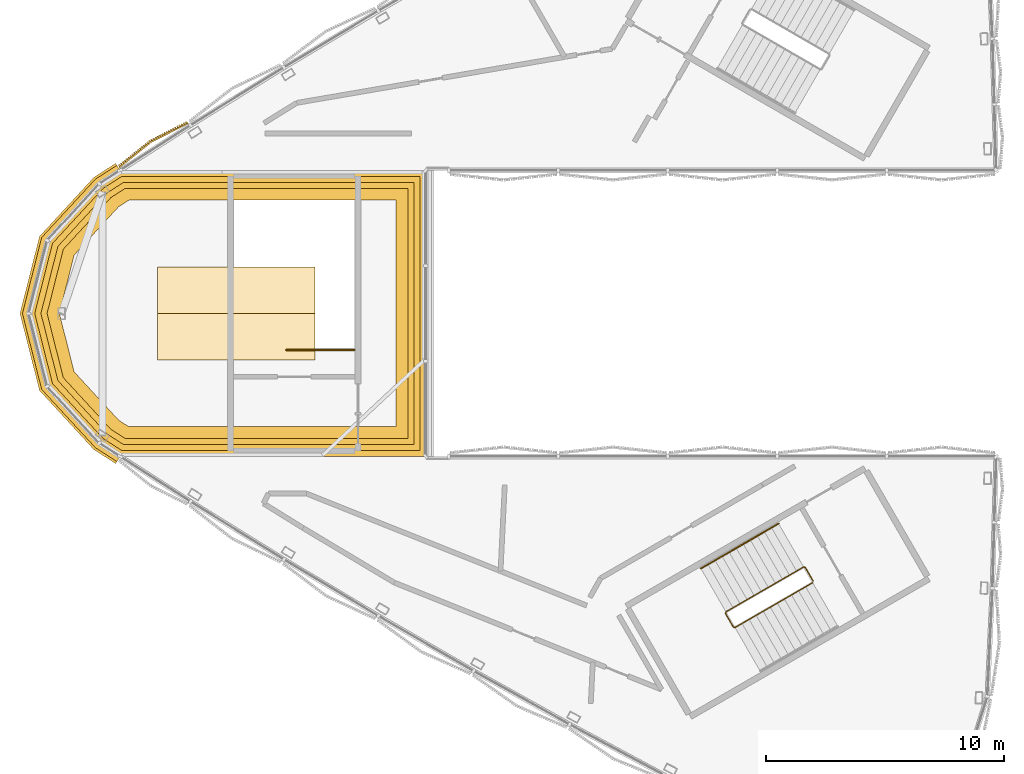
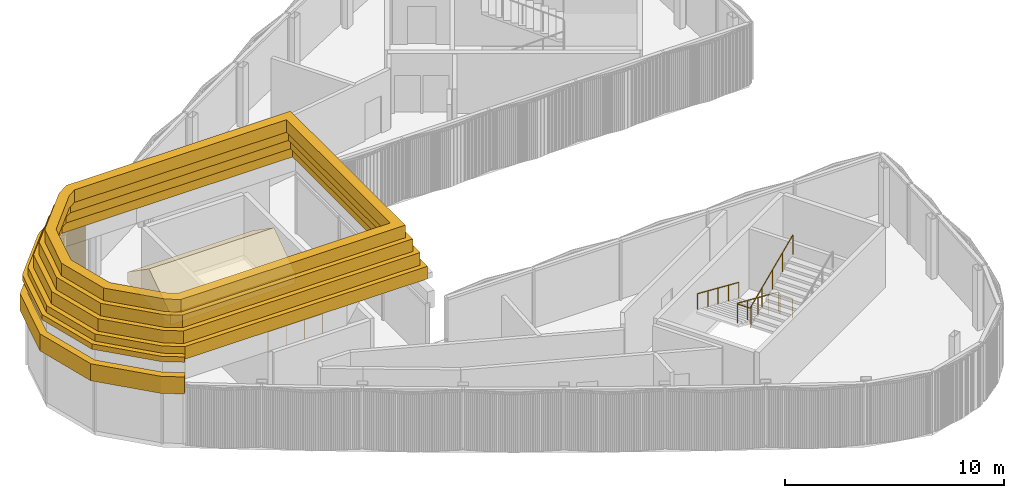
# One storey, part 10 of 16: 8 coverings, 3 railings.
"""IFC4 building model written with IfcOpenShell, lengths in metres."""

from ifc_helpers import new_model, si_unit, direction, frame, frame_2d, origin, origin_2d, place, context, subcontext, project, spatial, polyline, rectangle, circle, outline, extrude, source, transform, mapped, material, layer, layer_set, type_object, element, save


model = new_model("IFC4")

# Units and contexts
model_context = context("Model", 3, precision=1e-05, world=origin(), true_north=direction((0.0, 1.0)))
body_context = subcontext(model_context, "Body", "Model", "MODEL_VIEW")
ifc_project = project(units=[si_unit("LENGTHUNIT", "METRE"), si_unit("AREAUNIT", "SQUARE_METRE"), si_unit("VOLUMEUNIT", "CUBIC_METRE"), si_unit("PLANEANGLEUNIT", "RADIAN"), si_unit("MASSUNIT", "GRAM", prefix="KILO")], contexts=[model_context])

# Site, building, storey
site_placement = place(None, origin())
site = spatial("IfcSite", under=ifc_project, at=site_placement, CompositionType="ELEMENT")
building_placement = place(site_placement, origin())
building = spatial("IfcBuilding", under=site, at=building_placement, Name="Tamra Quay Hotel Tower", CompositionType="ELEMENT")
storey_placement = place(building_placement, frame((0.0, 0.0, 327.800048828125)))
storey = spatial("IfcBuildingStorey", under=building, at=storey_placement, Name="Roof crown 3", CompositionType="ELEMENT", Elevation=327.800048828125)

# Coverings
ifc_material_1 = material(Name="Precast concrete M60 terracotta-coloured cornice", Category="masonry")
ifc_layer_1 = layer(ifc_material_1, 0.5)
ifc_layer_set_1 = layer_set([ifc_layer_1], Name="LANTERN CROWN RING 500X700")
covering_type_1 = type_object("IfcCoveringType", Name="LANTERN CROWN RING 500X700", PredefinedType="MOLDING", material=ifc_layer_set_1)
covering_1_placement = place(storey_placement, frame((0.0, 0.0, 4.699951171875)))
element("IfcCovering", 1, at=covering_1_placement, inside=storey, type_object=covering_type_1, Name="Lantern C crown ring 1", PredefinedType="MOLDING", context=body_context, shape_type="SweptSolid", body=[
    extrude(outline(polyline([(-21.689208984375, -5.439453125), (-23.879150390625, -3.061279296875), (-24.654296875, 0.0), (-23.879150390625, 3.061279296875), (-21.689208984375, 5.439453125), (-20.815673828125, 6.0), (-8.0, 6.0), (-8.0, -6.0), (-20.815673828125, -6.0), (-21.689208984375, -5.439453125)]), holes=[polyline([(-21.364990234375, -5.053466796875), (-23.425537109375, -2.81591796875), (-24.138671875, 0.0), (-23.425537109375, 2.81591796875), (-21.364990234375, 5.053466796875), (-20.6689453125, 5.5), (-8.5, 5.5), (-8.5, -5.5), (-20.6689453125, -5.5), (-21.364990234375, -5.053466796875)])]), origin(), (0.0, 0.0, 1.0), 0.699951171875),
])
covering_2_placement = place(storey_placement, frame((0.0, 0.0, 5.39990234375)))
element("IfcCovering", 2, at=covering_2_placement, inside=storey, type_object=covering_type_1, Name="Lantern C crown ring 2", PredefinedType="MOLDING", context=body_context, shape_type="SweptSolid", body=[
    extrude(outline(polyline([(-21.527099609375, -5.246337890625), (-23.65234375, -2.938720703125), (-24.396484375, 0.0), (-23.65234375, 2.938720703125), (-21.527099609375, 5.246337890625), (-20.7421875, 5.75), (-8.25, 5.75), (-8.25, -5.75), (-20.7421875, -5.75), (-21.527099609375, -5.246337890625)]), holes=[polyline([(-21.202880859375, -4.8603515625), (-23.19873046875, -2.693115234375), (-23.880859375, 0.0), (-23.19873046875, 2.693115234375), (-21.202880859375, 4.8603515625), (-20.595703125, 5.25), (-8.75, 5.25), (-8.75, -5.25), (-20.595703125, -5.25), (-21.202880859375, -4.8603515625)])]), origin(), (0.0, 0.0, 1.0), 0.699951171875),
])
covering_3_placement = place(storey_placement, frame((0.0, 0.0, 6.099853515625)))
element("IfcCovering", 3, at=covering_3_placement, inside=storey, type_object=covering_type_1, Name="Lantern C crown ring 3", PredefinedType="MOLDING", context=body_context, shape_type="SweptSolid", body=[
    extrude(outline(polyline([(-21.364990234375, -5.053466796875), (-23.425537109375, -2.81591796875), (-24.138671875, 0.0), (-23.425537109375, 2.81591796875), (-21.364990234375, 5.053466796875), (-20.6689453125, 5.5), (-8.5, 5.5), (-8.5, -5.5), (-20.6689453125, -5.5), (-21.364990234375, -5.053466796875)]), holes=[polyline([(-21.041015625, -4.667236328125), (-22.971923828125, -2.5703125), (-23.622802734375, 0.0), (-22.971923828125, 2.5703125), (-21.041015625, 4.667236328125), (-20.522216796875, 5.0), (-9.0, 5.0), (-9.0, -5.0), (-20.522216796875, -5.0), (-21.041015625, -4.667236328125)])]), origin(), (0.0, 0.0, 1.0), 0.7001953125),
])
covering_4_placement = place(storey_placement, frame((0.0, 0.0, 6.800048828125)))
element("IfcCovering", 4, at=covering_4_placement, inside=storey, type_object=covering_type_1, Name="Lantern C crown ring 4", PredefinedType="MOLDING", context=body_context, shape_type="SweptSolid", body=[
    extrude(outline(polyline([(-21.202880859375, -4.8603515625), (-23.19873046875, -2.693115234375), (-23.880859375, 0.0), (-23.19873046875, 2.693115234375), (-21.202880859375, 4.8603515625), (-20.595703125, 5.25), (-8.75, 5.25), (-8.75, -5.25), (-20.595703125, -5.25), (-21.202880859375, -4.8603515625)]), holes=[polyline([(-20.87890625, -4.474365234375), (-22.7451171875, -2.447509765625), (-23.364990234375, 0.0), (-22.7451171875, 2.447509765625), (-20.87890625, 4.474365234375), (-20.448974609375, 4.75), (-9.25, 4.75), (-9.25, -4.75), (-20.448974609375, -4.75), (-20.87890625, -4.474365234375)])]), origin(), (0.0, 0.0, 1.0), 0.699951171875),
])
ifc_material_2 = material(Name="Precast concrete M60 terracotta-coloured pierced relief", Category="masonry")
ifc_layer_2 = layer(ifc_material_2, 0.10009765625)
ifc_layer_set_2 = layer_set([ifc_layer_2], Name="PIERCED RELIEF PANEL 100")
covering_type_2 = type_object("IfcCoveringType", Name="PIERCED RELIEF PANEL 100", PredefinedType="CLADDING", material=ifc_layer_set_2)
covering_5_placement = place(storey_placement, frame((0.0, 0.0, 3.0)))
element("IfcCovering", 5, at=covering_5_placement, inside=storey, type_object=covering_type_2, Name="Lantern C cornice 2", PredefinedType="CLADDING", context=body_context, shape_type="SweptSolid", body=[
    extrude(outline(polyline([(-20.815673828125, 6.0), (-21.004638671875, 6.294677734375), (-21.916259765625, 5.709716796875), (-24.196533203125, 3.233154296875), (-25.015380859375, 0.0), (-24.196533203125, -3.233154296875), (-21.916259765625, -5.709716796875), (-21.004638671875, -6.294677734375), (-20.815673828125, -6.0), (-21.689208984375, -5.439453125), (-23.879150390625, -3.061279296875), (-24.654296875, 0.0), (-23.879150390625, 3.061279296875), (-21.689208984375, 5.439453125), (-20.815673828125, 6.0)])), origin(), (0.0, 0.0, 1.0), 0.949951171875),
])
covering_6_placement = place(storey_placement, frame((0.0, 0.0, 4.699951171875)))
element("IfcCovering", 6, at=covering_6_placement, inside=storey, type_object=covering_type_2, Name="Lantern C coping 2", PredefinedType="CLADDING", context=body_context, shape_type="SweptSolid", body=[
    extrude(outline(polyline([(-20.815673828125, 6.0), (-20.95068359375, 6.21044921875), (-21.851318359375, 5.63232421875), (-24.10595703125, 3.18408203125), (-24.912353515625, 0.0), (-24.10595703125, -3.18408203125), (-21.851318359375, -5.63232421875), (-20.95068359375, -6.21044921875), (-20.815673828125, -6.0), (-21.689208984375, -5.439453125), (-23.879150390625, -3.061279296875), (-24.654296875, 0.0), (-23.879150390625, 3.061279296875), (-21.689208984375, 5.439453125), (-20.815673828125, 6.0)])), origin(), (0.0, 0.0, 1.0), 0.300048828125),
])

# Railings
ifc_material_3 = material(Name="Stair guard 1100")
railing_type_1 = type_object("IfcRailingType", Name="Stair guard 1100", PredefinedType="GUARDRAIL", material=ifc_material_3)
railing_1_placement = place(storey_placement, frame((-10.982177734375, -1.530029296875, 0.0)))
element("IfcRailing", 7, at=railing_1_placement, inside=storey, type_object=railing_type_1, Name="GR", PredefinedType="GUARDRAIL", context=body_context, shape_type="SweptSolid", body=[
    extrude(circle(Radius=0.02392578125, at=origin_2d()), frame((0.0, 0.0, 1.076171875), z_axis=(-1.0, 0.0, 0.0), x_axis=(0.0, -1.0, 0.0)), (0.0, 0.0, 1.0), 2.859130859375),
    extrude(circle(Radius=0.02099609375, at=origin_2d()), origin(), (0.0, 0.0, 1.0), 1.052001953125),
    extrude(circle(Radius=0.02099609375, at=origin_2d()), frame((-0.953125, 0.0, 0.0)), (0.0, 0.0, 1.0), 1.052001953125),
    extrude(circle(Radius=0.02099609375, at=origin_2d()), frame((-1.906005859375, 0.0, 0.0)), (0.0, 0.0, 1.0), 1.052001953125),
    extrude(circle(Radius=0.02099609375, at=origin_2d()), frame((-2.859130859375, 0.0, 0.0)), (0.0, 0.0, 1.0), 1.052001953125),
])
railing_2_placement = place(storey_placement, frame((8.245849609375, -11.221923828125, 0.0)))
element("IfcRailing", 8, at=railing_2_placement, inside=storey, type_object=railing_type_1, Name="GR", PredefinedType="GUARDRAIL", context=body_context, shape_type="SweptSolid", body=[
    extrude(circle(Radius=0.02392578125, at=origin_2d()), frame((0.0, 0.0, 1.076171875), z_axis=(-0.500043078269, 0.866000531106, 0.0), x_axis=(-0.866000531106, -0.500043078269, 0.0)), (0.0, 0.0, 1.0), 0.6591796875),
    extrude(circle(Radius=0.02392578125, at=origin_2d()), frame((-0.32958984375, 0.57080078125, 1.076171875), z_axis=(-0.41238007866, 0.110458949641, 0.904290601062), x_axis=(-0.258736085224, -0.965948051503, 0.0)), (0.0, 0.0, 1.0), 0.165771484375),
    extrude(circle(Radius=0.02392578125, at=origin_2d()), frame((-0.39794921875, 0.589111328125, 1.22607421875), z_axis=(-0.793081581205, -0.457901355053, 0.401681409319), x_axis=(0.500012686397, -0.866018079166, 0.0)), (0.0, 0.0, 1.0), 4.108154296875),
    extrude(circle(Radius=0.02392578125, at=origin_2d()), frame((-3.656005859375, -1.2919921875, 2.8759765625), z_axis=(-0.256368644879, -0.966579080015, 0.0), x_axis=(0.966579080015, -0.256368644879, 0.0)), (0.0, 0.0, 1.0), 0.070556640625),
    extrude(circle(Radius=0.02392578125, at=origin_2d()), frame((-3.674072265625, -1.360107421875, 2.8759765625), z_axis=(0.499765215335, -0.866160914346, 0.0), x_axis=(0.866160914346, 0.499765215335, 0.0)), (0.0, 0.0, 1.0), 0.658935546875),
    extrude(circle(Radius=0.02392578125, at=origin_2d()), frame((-3.3447265625, -1.930908203125, 2.8759765625), z_axis=(0.41238007866, -0.110458949641, 0.904290601062), x_axis=(0.258736085224, 0.965948051503, 0.0)), (0.0, 0.0, 1.0), 0.165771484375),
    extrude(circle(Radius=0.02392578125, at=origin_2d()), frame((-3.2763671875, -1.94921875, 3.02587890625), z_axis=(0.793100512587, 0.457912285461, 0.401631567183), x_axis=(-0.500012686397, 0.866018079166, 0.0)), (0.0, 0.0, 1.0), 4.10791015625),
    extrude(circle(Radius=0.02099609375, at=origin_2d()), origin(), (0.0, 0.0, 1.0), 1.052001953125),
    extrude(circle(Radius=0.02099609375, at=origin_2d()), frame((-0.32958984375, 0.57080078125, 0.0)), (0.0, 0.0, 1.0), 1.052001953125),
    extrude(circle(Radius=0.02099609375, at=origin_2d()), frame((-0.39794921875, 0.589111328125, 0.14990234375)), (0.0, 0.0, 1.0), 1.052001953125),
    extrude(circle(Radius=0.02099609375, at=origin_2d()), frame((-1.21240234375, 0.118896484375, 0.5625)), (0.0, 0.0, 1.0), 1.052001953125),
    extrude(circle(Radius=0.02099609375, at=origin_2d()), frame((-2.02685546875, -0.3515625, 0.97509765625)), (0.0, 0.0, 1.0), 1.052001953125),
    extrude(circle(Radius=0.02099609375, at=origin_2d()), frame((-2.841552734375, -0.82177734375, 1.387451171875)), (0.0, 0.0, 1.0), 1.052001953125),
    extrude(circle(Radius=0.02099609375, at=origin_2d()), frame((-3.656005859375, -1.2919921875, 1.800048828125)), (0.0, 0.0, 1.0), 1.052001953125),
    extrude(circle(Radius=0.02099609375, at=origin_2d()), frame((-3.674072265625, -1.360107421875, 1.800048828125)), (0.0, 0.0, 1.0), 1.052001953125),
    extrude(circle(Radius=0.02099609375, at=origin_2d()), frame((-3.3447265625, -1.930908203125, 1.800048828125)), (0.0, 0.0, 1.0), 1.052001953125),
    extrude(circle(Radius=0.02099609375, at=origin_2d()), frame((-3.2763671875, -1.94921875, 1.949951171875)), (0.0, 0.0, 1.0), 1.052001953125),
    extrude(circle(Radius=0.02099609375, at=origin_2d()), frame((-2.4619140625, -1.47900390625, 2.3623046875)), (0.0, 0.0, 1.0), 1.052001953125),
    extrude(circle(Radius=0.02099609375, at=origin_2d()), frame((-1.6474609375, -1.0087890625, 2.77490234375)), (0.0, 0.0, 1.0), 1.052001953125),
    extrude(circle(Radius=0.02099609375, at=origin_2d()), frame((-0.832763671875, -0.538330078125, 3.1875)), (0.0, 0.0, 1.0), 1.052001953125),
    extrude(circle(Radius=0.02099609375, at=origin_2d()), frame((-0.018310546875, -0.068115234375, 3.599853515625)), (0.0, 0.0, 1.0), 1.052001953125),
])
ifc_material_4 = material(Name="Stair handrail 900")
railing_type_2 = type_object("IfcRailingType", Name="Stair handrail 900", PredefinedType="HANDRAIL", material=ifc_material_4)
railing_3_placement = place(storey_placement, frame((6.7978515625, -8.814208984375, 0.14990234375)))
element("IfcRailing", 9, at=railing_3_placement, inside=storey, type_object=railing_type_2, Name="HR", PredefinedType="HANDRAIL", context=body_context, shape_type="SweptSolid", body=[
    extrude(circle(Radius=0.02392578125, at=origin_2d()), frame((0.0, 0.0, 0.8759765625), z_axis=(-0.793081112945, -0.457875966286, 0.40171127416), x_axis=(0.499992114976, -0.866029956157, 0.0)), (0.0, 0.0, 1.0), 4.10791015625),
    extrude(circle(Radius=0.02099609375, at=origin_2d()), origin(), (0.0, 0.0, 1.0), 0.851806640625),
    extrude(circle(Radius=0.02099609375, at=origin_2d()), frame((-0.814453125, -0.47021484375, 0.41259765625)), (0.0, 0.0, 1.0), 0.851806640625),
    extrude(circle(Radius=0.02099609375, at=origin_2d()), frame((-1.62890625, -0.9404296875, 0.8251953125)), (0.0, 0.0, 1.0), 0.851806640625),
    extrude(circle(Radius=0.02099609375, at=origin_2d()), frame((-2.443359375, -1.41064453125, 1.237548828125)), (0.0, 0.0, 1.0), 0.851806640625),
    extrude(circle(Radius=0.02099609375, at=origin_2d()), frame((-3.2578125, -1.880859375, 1.650146484375)), (0.0, 0.0, 1.0), 0.851806640625),
])

# Coverings
ifc_material_5 = material(Name="Terracotta baguette extruded", Category="masonry")
covering_type_3 = type_object("IfcCoveringType", Name="BAGUETTE SCREEN CROWN H3350", PredefinedType="USERDEFINED", material=ifc_material_5)
shared_shape_1 = source(origin(), body_context, "Body", "SweptSolid", [
    extrude(rectangle(XDim=1.721923828125, YDim=0.06005859375, at=frame_2d((0.86083984375, 0.030029296875))), frame((-1.71875, -0.0576171875, -0.1201171875), z_axis=(0.0, 0.0, 1.0), x_axis=(0.994521895368, -0.104528463268, 0.0)), (0.0, 0.0, 1.0), 0.1201171875),
    extrude(rectangle(XDim=1.721923828125, YDim=0.06005859375, at=frame_2d((0.86083984375, 0.030029296875))), frame((-1.71875, -0.0576171875, -3.35009765625), z_axis=(0.0, 0.0, 1.0), x_axis=(0.994521895368, -0.104528463268, 0.0)), (0.0, 0.0, 1.0), 0.1201171875),
    extrude(rectangle(XDim=0.070068359375, YDim=0.10009765625, at=frame_2d((0.03515625, 0.050048828125))), frame((-1.697021484375, -0.13330078125, -3.2900390625)), (0.0, 0.0, 1.0), 3.22998046875),
    extrude(rectangle(XDim=0.070068359375, YDim=0.10009765625, at=frame_2d((0.03515625, 0.050048828125))), frame((-1.596435546875, -0.143798828125, -3.2900390625)), (0.0, 0.0, 1.0), 3.22998046875),
    extrude(rectangle(XDim=0.070068359375, YDim=0.10009765625, at=frame_2d((0.03515625, 0.050048828125))), frame((-1.49560546875, -0.154541015625, -3.2900390625)), (0.0, 0.0, 1.0), 3.22998046875),
    extrude(rectangle(XDim=0.070068359375, YDim=0.10009765625, at=frame_2d((0.03515625, 0.050048828125))), frame((-1.39501953125, -0.1650390625, -3.2900390625)), (0.0, 0.0, 1.0), 3.22998046875),
    extrude(rectangle(XDim=0.070068359375, YDim=0.10009765625, at=frame_2d((0.03515625, 0.050048828125))), frame((-1.294189453125, -0.175537109375, -3.2900390625)), (0.0, 0.0, 1.0), 3.22998046875),
    extrude(rectangle(XDim=0.070068359375, YDim=0.10009765625, at=frame_2d((0.03515625, 0.050048828125))), frame((-1.193359375, -0.186279296875, -3.2900390625)), (0.0, 0.0, 1.0), 3.22998046875),
    extrude(rectangle(XDim=0.070068359375, YDim=0.10009765625, at=frame_2d((0.03515625, 0.050048828125))), frame((-1.0927734375, -0.19677734375, -3.2900390625)), (0.0, 0.0, 1.0), 3.22998046875),
    extrude(rectangle(XDim=0.070068359375, YDim=0.10009765625, at=frame_2d((0.03515625, 0.050048828125))), frame((-0.991943359375, -0.20751953125, -3.2900390625)), (0.0, 0.0, 1.0), 3.22998046875),
    extrude(rectangle(XDim=0.070068359375, YDim=0.10009765625, at=frame_2d((0.03515625, 0.050048828125))), frame((-0.891357421875, -0.218017578125, -3.2900390625)), (0.0, 0.0, 1.0), 3.22998046875),
    extrude(rectangle(XDim=0.070068359375, YDim=0.10009765625, at=frame_2d((0.03515625, 0.050048828125))), frame((-0.79052734375, -0.228515625, -3.2900390625)), (0.0, 0.0, 1.0), 3.22998046875),
    extrude(rectangle(XDim=0.070068359375, YDim=0.10009765625, at=frame_2d((0.03515625, 0.050048828125))), frame((-0.689697265625, -0.2392578125, -3.2900390625)), (0.0, 0.0, 1.0), 3.22998046875),
    extrude(rectangle(XDim=0.070068359375, YDim=0.10009765625, at=frame_2d((0.03515625, 0.050048828125))), frame((-0.589111328125, -0.249755859375, -3.2900390625)), (0.0, 0.0, 1.0), 3.22998046875),
    extrude(rectangle(XDim=0.070068359375, YDim=0.10009765625, at=frame_2d((0.03515625, 0.050048828125))), frame((-0.48828125, -0.26025390625, -3.2900390625)), (0.0, 0.0, 1.0), 3.22998046875),
    extrude(rectangle(XDim=0.070068359375, YDim=0.10009765625, at=frame_2d((0.03515625, 0.050048828125))), frame((-0.387451171875, -0.27099609375, -3.2900390625)), (0.0, 0.0, 1.0), 3.22998046875),
    extrude(rectangle(XDim=0.070068359375, YDim=0.10009765625, at=frame_2d((0.03515625, 0.050048828125))), frame((-0.286865234375, -0.281494140625, -3.2900390625)), (0.0, 0.0, 1.0), 3.22998046875),
    extrude(rectangle(XDim=0.070068359375, YDim=0.10009765625, at=frame_2d((0.03515625, 0.050048828125))), frame((-0.18603515625, -0.2919921875, -3.2900390625)), (0.0, 0.0, 1.0), 3.22998046875),
    extrude(rectangle(XDim=0.070068359375, YDim=0.10009765625, at=frame_2d((0.03515625, 0.050048828125))), frame((-0.08544921875, -0.302734375, -3.2900390625)), (0.0, 0.0, 1.0), 3.22998046875),
    extrude(rectangle(XDim=1.721923828125, YDim=0.06005859375, at=frame_2d((0.86083984375, 0.030029296875))), frame((0.00634765625, -0.237548828125, -0.1201171875), z_axis=(0.0, 0.0, 1.0), x_axis=(0.994521895368, 0.104528463268, 0.0)), (0.0, 0.0, 1.0), 0.1201171875),
    extrude(rectangle(XDim=1.721923828125, YDim=0.06005859375, at=frame_2d((0.86083984375, 0.030029296875))), frame((0.00634765625, -0.237548828125, -3.35009765625), z_axis=(0.0, 0.0, 1.0), x_axis=(0.994521895368, 0.104528463268, 0.0)), (0.0, 0.0, 1.0), 0.1201171875),
    extrude(rectangle(XDim=0.070068359375, YDim=0.10009765625, at=frame_2d((0.03515625, 0.050048828125))), frame((0.015380859375, -0.302734375, -3.2900390625)), (0.0, 0.0, 1.0), 3.22998046875),
    extrude(rectangle(XDim=0.070068359375, YDim=0.10009765625, at=frame_2d((0.03515625, 0.050048828125))), frame((0.1162109375, -0.2919921875, -3.2900390625)), (0.0, 0.0, 1.0), 3.22998046875),
    extrude(rectangle(XDim=0.070068359375, YDim=0.10009765625, at=frame_2d((0.03515625, 0.050048828125))), frame((0.216796875, -0.281494140625, -3.2900390625)), (0.0, 0.0, 1.0), 3.22998046875),
    extrude(rectangle(XDim=0.070068359375, YDim=0.10009765625, at=frame_2d((0.03515625, 0.050048828125))), frame((0.317626953125, -0.27099609375, -3.2900390625)), (0.0, 0.0, 1.0), 3.22998046875),
    extrude(rectangle(XDim=0.070068359375, YDim=0.10009765625, at=frame_2d((0.03515625, 0.050048828125))), frame((0.418212890625, -0.26025390625, -3.2900390625)), (0.0, 0.0, 1.0), 3.22998046875),
    extrude(rectangle(XDim=0.070068359375, YDim=0.10009765625, at=frame_2d((0.03515625, 0.050048828125))), frame((0.51904296875, -0.249755859375, -3.2900390625)), (0.0, 0.0, 1.0), 3.22998046875),
    extrude(rectangle(XDim=0.070068359375, YDim=0.10009765625, at=frame_2d((0.03515625, 0.050048828125))), frame((0.619873046875, -0.2392578125, -3.2900390625)), (0.0, 0.0, 1.0), 3.22998046875),
    extrude(rectangle(XDim=0.070068359375, YDim=0.10009765625, at=frame_2d((0.03515625, 0.050048828125))), frame((0.720458984375, -0.228515625, -3.2900390625)), (0.0, 0.0, 1.0), 3.22998046875),
    extrude(rectangle(XDim=0.070068359375, YDim=0.10009765625, at=frame_2d((0.03515625, 0.050048828125))), frame((0.8212890625, -0.218017578125, -3.2900390625)), (0.0, 0.0, 1.0), 3.22998046875),
    extrude(rectangle(XDim=0.070068359375, YDim=0.10009765625, at=frame_2d((0.03515625, 0.050048828125))), frame((0.921875, -0.20751953125, -3.2900390625)), (0.0, 0.0, 1.0), 3.22998046875),
    extrude(rectangle(XDim=0.070068359375, YDim=0.10009765625, at=frame_2d((0.03515625, 0.050048828125))), frame((1.022705078125, -0.19677734375, -3.2900390625)), (0.0, 0.0, 1.0), 3.22998046875),
    extrude(rectangle(XDim=0.070068359375, YDim=0.10009765625, at=frame_2d((0.03515625, 0.050048828125))), frame((1.12353515625, -0.186279296875, -3.2900390625)), (0.0, 0.0, 1.0), 3.22998046875),
    extrude(rectangle(XDim=0.070068359375, YDim=0.10009765625, at=frame_2d((0.03515625, 0.050048828125))), frame((1.22412109375, -0.175537109375, -3.2900390625)), (0.0, 0.0, 1.0), 3.22998046875),
    extrude(rectangle(XDim=0.070068359375, YDim=0.10009765625, at=frame_2d((0.03515625, 0.050048828125))), frame((1.324951171875, -0.1650390625, -3.2900390625)), (0.0, 0.0, 1.0), 3.22998046875),
    extrude(rectangle(XDim=0.070068359375, YDim=0.10009765625, at=frame_2d((0.03515625, 0.050048828125))), frame((1.42578125, -0.154541015625, -3.2900390625)), (0.0, 0.0, 1.0), 3.22998046875),
    extrude(rectangle(XDim=0.070068359375, YDim=0.10009765625, at=frame_2d((0.03515625, 0.050048828125))), frame((1.5263671875, -0.143798828125, -3.2900390625)), (0.0, 0.0, 1.0), 3.22998046875),
    extrude(rectangle(XDim=0.070068359375, YDim=0.10009765625, at=frame_2d((0.03515625, 0.050048828125))), frame((1.627197265625, -0.13330078125, -3.2900390625)), (0.0, 0.0, 1.0), 3.22998046875),
])
covering_7_placement = place(storey_placement, frame((-19.394775390625, 7.028076171875, 3.349853515625), z_axis=(0.0, 0.0, 1.0), x_axis=(-0.841664964506, -0.54000008104, 0.0)))
element("IfcCovering", 10, at=covering_7_placement, inside=storey, type_object=covering_type_3, Name="Baguette screen Roof crown 3.A.f11", ObjectType="BAGUETTE SCREEN", PredefinedType="USERDEFINED", context=body_context, shape_type="MappedRepresentation", body=[
    mapped(shared_shape_1, transform((0.0, 0.0, 0.0), scale=1.0)),
])
ifc_material_6 = material(Name="Laminated glass ridge in aluminium frame", Category="aluminium")
covering_type_4 = type_object("IfcCoveringType", Name="LANTERN RIDGE GLAZING 3900X6600", PredefinedType="ROOFING", material=ifc_material_6)
shared_shape_2 = source(origin(), body_context, "Body", "SweptSolid", [
    extrude(outline(polyline([(-1.949951171875, 0.0), (1.949951171875, 0.0), (1.949951171875, 0.60009765625), (0.0, 1.949951171875), (-1.949951171875, 0.60009765625), (-1.949951171875, 0.0)])), frame((0.0, 0.0, 0.0), z_axis=(1.0, 0.0, 0.0), x_axis=(0.0, 1.0, 0.0)), (0.0, 0.0, 1.0), 6.60009765625),
])
covering_8_placement = place(storey_placement, frame((-19.25, 0.0, 3.599853515625), z_axis=(0.0, 0.0, 1.0), x_axis=(1.0, 0.0, 0.0)))
element("IfcCovering", 11, at=covering_8_placement, inside=storey, type_object=covering_type_4, Name="Lantern C glazed ridge", PredefinedType="ROOFING", context=body_context, shape_type="MappedRepresentation", body=[
    mapped(shared_shape_2, transform((0.0, 0.0, 0.0), scale=1.0)),
])

save(model, "model.ifc")
